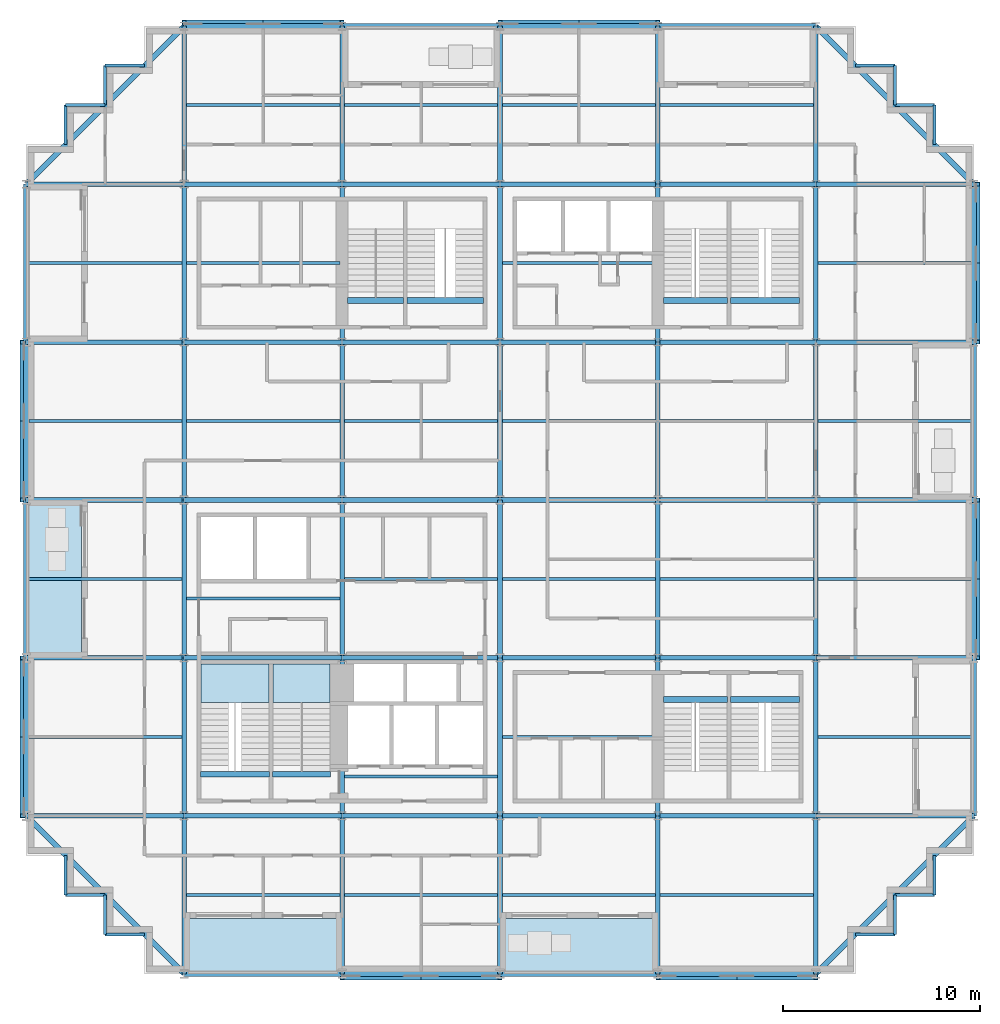
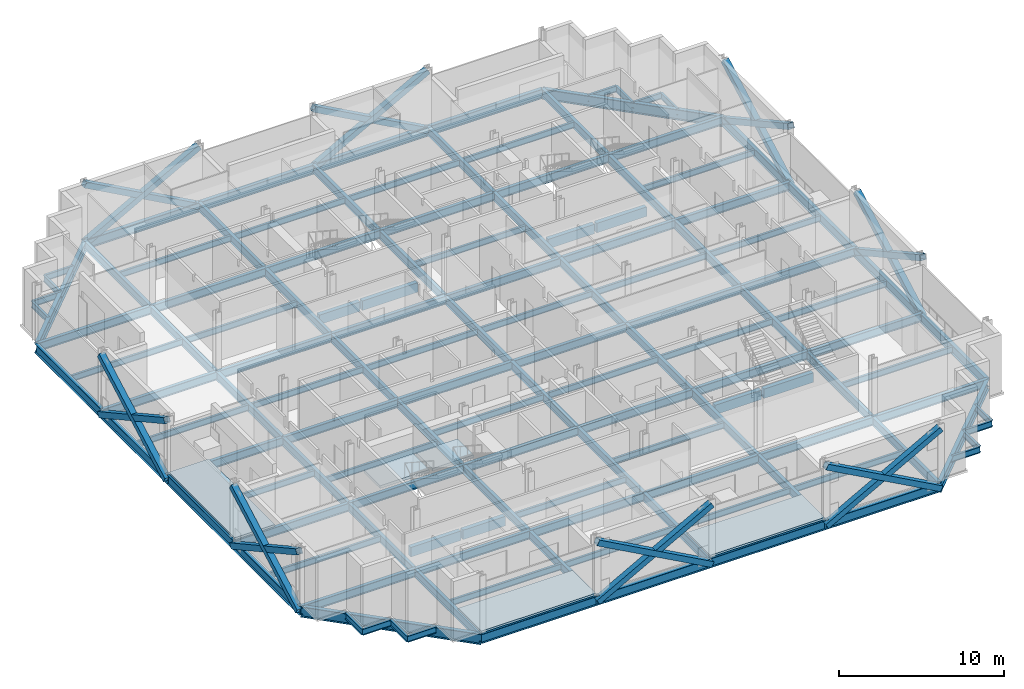
# One storey, part 4 of 15: 132 beams, 16 members, 5 slabs, 2 elements without a shape of their own.
"""IFC4 building model written with IfcOpenShell, lengths in metres."""

from ifc_helpers import new_model, si_unit, direction, frame, origin, origin_2d, place, context, subcontext, project, spatial, polyline, rectangle, hollow_rectangle, i_section, outline, extrude, material, layer, layer_set, material_profile, profile_set, type_object, element, aggregate, save


model = new_model("IFC4")

# Units and contexts
model_context = context("Model", 3, precision=1e-05, world=origin(), true_north=direction((0.0, 1.0)))
body_context = subcontext(model_context, "Body", "Model", "MODEL_VIEW")
ifc_project = project(units=[si_unit("LENGTHUNIT", "METRE"), si_unit("AREAUNIT", "SQUARE_METRE"), si_unit("VOLUMEUNIT", "CUBIC_METRE"), si_unit("PLANEANGLEUNIT", "RADIAN"), si_unit("MASSUNIT", "GRAM", prefix="KILO")], contexts=[model_context])

# Site, building, storey
site_placement = place(None, origin())
site = spatial("IfcSite", under=ifc_project, at=site_placement, CompositionType="ELEMENT")
building_placement = place(site_placement, origin())
building = spatial("IfcBuilding", under=site, at=building_placement, Name="Immortelle Media Tower", CompositionType="ELEMENT")
storey_placement = place(building_placement, frame((0.0, 0.0, 70.0)))
storey = spatial("IfcBuildingStorey", under=building, at=storey_placement, Name="L12", CompositionType="ELEMENT", Elevation=70.0)

# Members
ifc_material_1 = material(Name="Steel ASTM A500 Gr C", Category="steel")
ifc_material_profile_1 = material_profile(ifc_material_1, hollow_rectangle(XDim=0.406005859375, YDim=0.406005859375, WallThickness=0.014892578125, at=origin_2d()), Name="HSS16x16x5/8 brace")
ifc_profile_set_1 = profile_set([ifc_material_profile_1], Name="Steel ASTM A500 Gr C")
member_type = type_object("IfcMemberType", Name="HSS16x16x5/8 brace", PredefinedType="BRACE", material=ifc_profile_set_1)
for number, where, z_axis, x_axis, name in (
    (1, (-0.113037109375, 32.0, -0.49658203125), (0.0, -0.876209133828, 0.481931067474), (1.0, 0.0, 0.0), "Brace 1/D-E A"),
    (2, (-0.113037109375, 32.0, 3.903564453125), (0.0, -0.876209133828, -0.481931067474), (1.0, 0.0, 0.0), "Brace 1/D-E B"),
    (3, (-0.113037109375, 16.0, -0.49658203125), (0.0, -0.876209133828, 0.481931067474), (1.0, 0.0, 0.0), "Brace 1/B-C A"),
    (4, (-0.113037109375, 16.0, 3.903564453125), (0.0, -0.876209133828, -0.481931067474), (1.0, 0.0, 0.0), "Brace 1/B-C B"),
    (5, (16.0, -0.113037109375, -0.49658203125), (0.876209133828, 0.0, 0.481931067474), (0.0, 1.0, 0.0), "Brace A/3-4 A"),
    (6, (16.0, -0.113037109375, 3.903564453125), (0.876209133828, 0.0, -0.481931067474), (0.0, 1.0, 0.0), "Brace A/3-4 B"),
    (7, (32.0, -0.113037109375, -0.49658203125), (0.876209133828, 0.0, 0.481931067474), (0.0, 1.0, 0.0), "Brace A/5-6 A"),
    (8, (32.0, -0.113037109375, 3.903564453125), (0.876209133828, 0.0, -0.481931067474), (0.0, 1.0, 0.0), "Brace A/5-6 B"),
    (9, (48.113037109375, 16.0, -0.49658203125), (0.0, 0.876209133828, 0.481931067474), (-1.0, 0.0, 0.0), "Brace 7/C-D A"),
    (10, (48.113037109375, 16.0, 3.903564453125), (0.0, 0.876209133828, -0.481931067474), (-1.0, 0.0, 0.0), "Brace 7/C-D B"),
    (11, (48.113037109375, 32.0, -0.49658203125), (0.0, 0.876209133828, 0.481931067474), (-1.0, 0.0, 0.0), "Brace 7/E-F A"),
    (12, (48.113037109375, 32.0, 3.903564453125), (0.0, 0.876209133828, -0.481931067474), (-1.0, 0.0, 0.0), "Brace 7/E-F B"),
    (13, (32.0, 48.113037109375, -0.49658203125), (-0.876209133828, 0.0, 0.481931067474), (0.0, -1.0, 0.0), "Brace G/4-5 A"),
    (14, (32.0, 48.113037109375, 3.903564453125), (-0.876209133828, 0.0, -0.481931067474), (0.0, -1.0, 0.0), "Brace G/4-5 B"),
    (15, (16.0, 48.113037109375, -0.49658203125), (-0.876209133828, 0.0, 0.481931067474), (0.0, -1.0, 0.0), "Brace G/2-3 A"),
    (16, (16.0, 48.113037109375, 3.903564453125), (-0.876209133828, 0.0, -0.481931067474), (0.0, -1.0, 0.0), "Brace G/2-3 B"),
):
    element("IfcMember", number, at=place(storey_placement, frame(where, z_axis=z_axis, x_axis=x_axis)), inside=storey, type_object=member_type, Name=name, PredefinedType="BRACE", context=body_context, shape_type="SweptSolid", body=[
        extrude(hollow_rectangle(XDim=0.406005859375, YDim=0.406005859375, WallThickness=0.014892578125, at=origin_2d()), origin(), (0.0, 0.0, 1.0), 9.130126953125),
    ])

# Beams
ifc_material_2 = material(Name="Concrete C50/60", Category="concrete")
ifc_material_profile_2 = material_profile(ifc_material_2, rectangle(XDim=0.300048828125, YDim=0.699951171875, at=origin_2d()), Name="RC 300x700")
ifc_profile_set_2 = profile_set([ifc_material_profile_2], Name="Concrete C50/60")
beam_type_1 = type_object("IfcBeamType", Name="Stair trimmer beam 300 x 700", PredefinedType="BEAM", material=ifc_profile_set_2)
beam_1_placement = place(storey_placement, frame((8.830078125, 10.10498046875, -0.5), z_axis=(1.0, 0.0, 0.0), x_axis=(0.0, 1.0, 0.0)))
element("IfcBeam", 17, at=beam_1_placement, inside=storey, type_object=beam_type_1, Name="Stair trimmer beam SW1", PredefinedType="BEAM", context=body_context, shape_type="SweptSolid", body=[
    extrude(rectangle(XDim=0.300048828125, YDim=0.699951171875, at=origin_2d()), origin(), (0.0, 0.0, 1.0), 3.489990234375),
])
beam_2_placement = place(storey_placement, frame((12.47998046875, 10.10498046875, -0.5), z_axis=(1.0, 0.0, 0.0), x_axis=(0.0, 1.0, 0.0)))
element("IfcBeam", 18, at=beam_2_placement, inside=storey, type_object=beam_type_1, Name="Stair trimmer beam SW2", PredefinedType="BEAM", context=body_context, shape_type="SweptSolid", body=[
    extrude(rectangle(XDim=0.300048828125, YDim=0.699951171875, at=origin_2d()), origin(), (0.0, 0.0, 1.0), 2.93994140625),
])
beam_3_placement = place(storey_placement, frame((32.280029296875, 13.89501953125, -0.5), z_axis=(1.0, 0.0, 0.0), x_axis=(0.0, 1.0, 0.0)))
element("IfcBeam", 19, at=beam_3_placement, inside=storey, type_object=beam_type_1, Name="Stair trimmer beam SE1", PredefinedType="BEAM", context=body_context, shape_type="SweptSolid", body=[
    extrude(rectangle(XDim=0.300048828125, YDim=0.699951171875, at=origin_2d()), origin(), (0.0, 0.0, 1.0), 3.239990234375),
])
beam_4_placement = place(storey_placement, frame((35.679931640625, 13.89501953125, -0.5), z_axis=(1.0, 0.0, 0.0), x_axis=(0.0, 1.0, 0.0)))
element("IfcBeam", 20, at=beam_4_placement, inside=storey, type_object=beam_type_1, Name="Stair trimmer beam SE2", PredefinedType="BEAM", context=body_context, shape_type="SweptSolid", body=[
    extrude(rectangle(XDim=0.300048828125, YDim=0.699951171875, at=origin_2d()), origin(), (0.0, 0.0, 1.0), 3.489990234375),
])
beam_5_placement = place(storey_placement, frame((16.280029296875, 34.10498046875, -0.5), z_axis=(1.0, 0.0, 0.0), x_axis=(0.0, 1.0, 0.0)))
element("IfcBeam", 21, at=beam_5_placement, inside=storey, type_object=beam_type_1, Name="Stair trimmer beam NW1", PredefinedType="BEAM", context=body_context, shape_type="SweptSolid", body=[
    extrude(rectangle(XDim=0.300048828125, YDim=0.699951171875, at=origin_2d()), origin(), (0.0, 0.0, 1.0), 2.840087890625),
])
beam_6_placement = place(storey_placement, frame((19.280029296875, 34.10498046875, -0.5), z_axis=(1.0, 0.0, 0.0), x_axis=(0.0, 1.0, 0.0)))
element("IfcBeam", 22, at=beam_6_placement, inside=storey, type_object=beam_type_1, Name="Stair trimmer beam NW2", PredefinedType="BEAM", context=body_context, shape_type="SweptSolid", body=[
    extrude(rectangle(XDim=0.300048828125, YDim=0.699951171875, at=origin_2d()), origin(), (0.0, 0.0, 1.0), 3.889892578125),
])
beam_7_placement = place(storey_placement, frame((32.280029296875, 34.10498046875, -0.5), z_axis=(1.0, 0.0, 0.0), x_axis=(0.0, 1.0, 0.0)))
element("IfcBeam", 23, at=beam_7_placement, inside=storey, type_object=beam_type_1, Name="Stair trimmer beam NE1", PredefinedType="BEAM", context=body_context, shape_type="SweptSolid", body=[
    extrude(rectangle(XDim=0.300048828125, YDim=0.699951171875, at=origin_2d()), origin(), (0.0, 0.0, 1.0), 3.239990234375),
])
beam_8_placement = place(storey_placement, frame((35.679931640625, 34.10498046875, -0.5), z_axis=(1.0, 0.0, 0.0), x_axis=(0.0, 1.0, 0.0)))
element("IfcBeam", 24, at=beam_8_placement, inside=storey, type_object=beam_type_1, Name="Stair trimmer beam NE2", PredefinedType="BEAM", context=body_context, shape_type="SweptSolid", body=[
    extrude(rectangle(XDim=0.300048828125, YDim=0.699951171875, at=origin_2d()), origin(), (0.0, 0.0, 1.0), 3.489990234375),
])
ifc_material_3 = material(Name="Steel ASTM A992 Gr 50", Category="steel")
ifc_material_profile_3 = material_profile(ifc_material_3, i_section(OverallWidth=0.153076171875, OverallDepth=0.455078125, WebThickness=0.008056640625, FlangeThickness=0.012939453125, at=origin_2d()), Name="W18x40")
ifc_profile_set_3 = profile_set([ifc_material_profile_3], Name="Steel ASTM A992 Gr 50")
beam_type_2 = type_object("IfcBeamType", Name="W18x40 secondary beam", PredefinedType="JOIST", material=ifc_profile_set_3)
for number, where, z_axis, x_axis, name in (
    (25, (8.114501953125, 4.0, -0.37744140625), (1.0, 0.0, 0.0), (0.0, 1.0, 0.0), "Beam A-B/2-3"),
    (26, (16.114501953125, 4.0, -0.37744140625), (1.0, 0.0, 0.0), (0.0, 1.0, 0.0), "Beam A-B/3-4"),
    (27, (24.114501953125, 4.0, -0.37744140625), (1.0, 0.0, 0.0), (0.0, 1.0, 0.0), "Beam A-B/4-5"),
    (28, (32.114501953125, 4.0, -0.37744140625), (1.0, 0.0, 0.0), (0.0, 1.0, 0.0), "Beam A-B/5-6"),
):
    element("IfcBeam", number, at=place(storey_placement, frame(where, z_axis=z_axis, x_axis=x_axis)), inside=storey, type_object=beam_type_2, Name=name, PredefinedType="JOIST", context=body_context, shape_type="SweptSolid", body=[
        extrude(i_section(OverallWidth=0.153076171875, OverallDepth=0.455078125, WebThickness=0.008056640625, FlangeThickness=0.012939453125, at=origin_2d()), origin(), (0.0, 0.0, 1.0), 7.77099609375),
    ])
beam_9_placement = place(storey_placement, frame((0.12841796875, 12.0, -0.37744140625), z_axis=(1.0, 0.0, 0.0), x_axis=(0.0, 1.0, 0.0)))
element("IfcBeam", 29, at=beam_9_placement, inside=storey, type_object=beam_type_2, Name="Beam B-C/1-2", PredefinedType="JOIST", context=body_context, shape_type="SweptSolid", body=[
    extrude(i_section(OverallWidth=0.153076171875, OverallDepth=0.455078125, WebThickness=0.008056640625, FlangeThickness=0.012939453125, at=origin_2d()), origin(), (0.0, 0.0, 1.0), 7.757080078125),
])
for number, where, z_axis, x_axis, name in (
    (30, (16.114501953125, 10.0, -0.37744140625), (1.0, 0.0, 0.0), (0.0, 1.0, 0.0), "Beam B-C/3-4"),
    (31, (24.114501953125, 12.0, -0.37744140625), (1.0, 0.0, 0.0), (0.0, 1.0, 0.0), "Beam B-C/4-5"),
):
    element("IfcBeam", number, at=place(storey_placement, frame(where, z_axis=z_axis, x_axis=x_axis)), inside=storey, type_object=beam_type_2, Name=name, PredefinedType="JOIST", context=body_context, shape_type="SweptSolid", body=[
        extrude(i_section(OverallWidth=0.153076171875, OverallDepth=0.455078125, WebThickness=0.008056640625, FlangeThickness=0.012939453125, at=origin_2d()), origin(), (0.0, 0.0, 1.0), 7.77099609375),
    ])
for number, where, z_axis, x_axis, name in (
    (32, (40.114501953125, 12.0, -0.37744140625), (1.0, 0.0, 0.0), (0.0, 1.0, 0.0), "Beam B-C/6-7"),
    (33, (0.12841796875, 20.0, -0.37744140625), (1.0, 0.0, 0.0), (0.0, 1.0, 0.0), "Beam C-D/1-2"),
):
    element("IfcBeam", number, at=place(storey_placement, frame(where, z_axis=z_axis, x_axis=x_axis)), inside=storey, type_object=beam_type_2, Name=name, PredefinedType="JOIST", context=body_context, shape_type="SweptSolid", body=[
        extrude(i_section(OverallWidth=0.153076171875, OverallDepth=0.455078125, WebThickness=0.008056640625, FlangeThickness=0.012939453125, at=origin_2d()), origin(), (0.0, 0.0, 1.0), 7.757080078125),
    ])
for number, where, z_axis, x_axis, name in (
    (34, (8.114501953125, 19.0, -0.37744140625), (1.0, 0.0, 0.0), (0.0, 1.0, 0.0), "Beam C-D/2-3"),
    (35, (16.114501953125, 20.0, -0.37744140625), (1.0, 0.0, 0.0), (0.0, 1.0, 0.0), "Beam C-D/3-4"),
    (36, (24.114501953125, 20.0, -0.37744140625), (1.0, 0.0, 0.0), (0.0, 1.0, 0.0), "Beam C-D/4-5"),
    (37, (32.114501953125, 20.0, -0.37744140625), (1.0, 0.0, 0.0), (0.0, 1.0, 0.0), "Beam C-D/5-6"),
):
    element("IfcBeam", number, at=place(storey_placement, frame(where, z_axis=z_axis, x_axis=x_axis)), inside=storey, type_object=beam_type_2, Name=name, PredefinedType="JOIST", context=body_context, shape_type="SweptSolid", body=[
        extrude(i_section(OverallWidth=0.153076171875, OverallDepth=0.455078125, WebThickness=0.008056640625, FlangeThickness=0.012939453125, at=origin_2d()), origin(), (0.0, 0.0, 1.0), 7.77099609375),
    ])
for number, where, z_axis, x_axis, name in (
    (38, (40.114501953125, 20.0, -0.37744140625), (1.0, 0.0, 0.0), (0.0, 1.0, 0.0), "Beam C-D/6-7"),
    (39, (0.12841796875, 28.0, -0.37744140625), (1.0, 0.0, 0.0), (0.0, 1.0, 0.0), "Beam D-E/1-2"),
):
    element("IfcBeam", number, at=place(storey_placement, frame(where, z_axis=z_axis, x_axis=x_axis)), inside=storey, type_object=beam_type_2, Name=name, PredefinedType="JOIST", context=body_context, shape_type="SweptSolid", body=[
        extrude(i_section(OverallWidth=0.153076171875, OverallDepth=0.455078125, WebThickness=0.008056640625, FlangeThickness=0.012939453125, at=origin_2d()), origin(), (0.0, 0.0, 1.0), 7.757080078125),
    ])
for number, where, z_axis, x_axis, name in (
    (40, (8.114501953125, 28.0, -0.37744140625), (1.0, 0.0, 0.0), (0.0, 1.0, 0.0), "Beam D-E/2-3"),
    (41, (16.114501953125, 28.0, -0.37744140625), (1.0, 0.0, 0.0), (0.0, 1.0, 0.0), "Beam D-E/3-4"),
    (42, (24.114501953125, 28.0, -0.37744140625), (1.0, 0.0, 0.0), (0.0, 1.0, 0.0), "Beam D-E/4-5"),
    (43, (32.114501953125, 28.0, -0.37744140625), (1.0, 0.0, 0.0), (0.0, 1.0, 0.0), "Beam D-E/5-6"),
):
    element("IfcBeam", number, at=place(storey_placement, frame(where, z_axis=z_axis, x_axis=x_axis)), inside=storey, type_object=beam_type_2, Name=name, PredefinedType="JOIST", context=body_context, shape_type="SweptSolid", body=[
        extrude(i_section(OverallWidth=0.153076171875, OverallDepth=0.455078125, WebThickness=0.008056640625, FlangeThickness=0.012939453125, at=origin_2d()), origin(), (0.0, 0.0, 1.0), 7.77099609375),
    ])
for number, where, z_axis, x_axis, name in (
    (44, (40.114501953125, 28.0, -0.37744140625), (1.0, 0.0, 0.0), (0.0, 1.0, 0.0), "Beam D-E/6-7"),
    (45, (0.12841796875, 36.0, -0.37744140625), (1.0, 0.0, 0.0), (0.0, 1.0, 0.0), "Beam E-F/1-2"),
):
    element("IfcBeam", number, at=place(storey_placement, frame(where, z_axis=z_axis, x_axis=x_axis)), inside=storey, type_object=beam_type_2, Name=name, PredefinedType="JOIST", context=body_context, shape_type="SweptSolid", body=[
        extrude(i_section(OverallWidth=0.153076171875, OverallDepth=0.455078125, WebThickness=0.008056640625, FlangeThickness=0.012939453125, at=origin_2d()), origin(), (0.0, 0.0, 1.0), 7.757080078125),
    ])
for number, where, z_axis, x_axis, name in (
    (46, (8.114501953125, 36.0, -0.37744140625), (1.0, 0.0, 0.0), (0.0, 1.0, 0.0), "Beam E-F/2-3"),
    (47, (24.114501953125, 36.0, -0.37744140625), (1.0, 0.0, 0.0), (0.0, 1.0, 0.0), "Beam E-F/4-5"),
):
    element("IfcBeam", number, at=place(storey_placement, frame(where, z_axis=z_axis, x_axis=x_axis)), inside=storey, type_object=beam_type_2, Name=name, PredefinedType="JOIST", context=body_context, shape_type="SweptSolid", body=[
        extrude(i_section(OverallWidth=0.153076171875, OverallDepth=0.455078125, WebThickness=0.008056640625, FlangeThickness=0.012939453125, at=origin_2d()), origin(), (0.0, 0.0, 1.0), 7.77099609375),
    ])
beam_10_placement = place(storey_placement, frame((40.114501953125, 36.0, -0.37744140625), z_axis=(1.0, 0.0, 0.0), x_axis=(0.0, 1.0, 0.0)))
element("IfcBeam", 48, at=beam_10_placement, inside=storey, type_object=beam_type_2, Name="Beam E-F/6-7", PredefinedType="JOIST", context=body_context, shape_type="SweptSolid", body=[
    extrude(i_section(OverallWidth=0.153076171875, OverallDepth=0.455078125, WebThickness=0.008056640625, FlangeThickness=0.012939453125, at=origin_2d()), origin(), (0.0, 0.0, 1.0), 7.757080078125),
])
for number, where, z_axis, x_axis, name in (
    (49, (8.114501953125, 44.0, -0.37744140625), (1.0, 0.0, 0.0), (0.0, 1.0, 0.0), "Beam F-G/2-3"),
    (50, (16.114501953125, 44.0, -0.37744140625), (1.0, 0.0, 0.0), (0.0, 1.0, 0.0), "Beam F-G/3-4"),
    (51, (24.114501953125, 44.0, -0.37744140625), (1.0, 0.0, 0.0), (0.0, 1.0, 0.0), "Beam F-G/4-5"),
    (52, (32.114501953125, 44.0, -0.37744140625), (1.0, 0.0, 0.0), (0.0, 1.0, 0.0), "Beam F-G/5-6"),
):
    element("IfcBeam", number, at=place(storey_placement, frame(where, z_axis=z_axis, x_axis=x_axis)), inside=storey, type_object=beam_type_2, Name=name, PredefinedType="JOIST", context=body_context, shape_type="SweptSolid", body=[
        extrude(i_section(OverallWidth=0.153076171875, OverallDepth=0.455078125, WebThickness=0.008056640625, FlangeThickness=0.012939453125, at=origin_2d()), origin(), (0.0, 0.0, 1.0), 7.77099609375),
    ])
ifc_material_profile_4 = material_profile(ifc_material_3, i_section(OverallWidth=0.153076171875, OverallDepth=0.455078125, WebThickness=0.008056640625, FlangeThickness=0.012939453125, at=origin_2d()), Name="W18x40")
ifc_profile_set_4 = profile_set([ifc_material_profile_4], Name="Steel ASTM A992 Gr 50")
beam_type_3 = type_object("IfcBeamType", Name="W18x40 serration edge beam", PredefinedType="SPANDREL", material=ifc_profile_set_4)
for number, where, z_axis, x_axis, name in (
    (53, (6.0, 2.0, -0.37744140625), (-1.0, 0.0, 0.0), (0.0, -1.0, 0.0), "Corner edge beam 1 at 1/A"),
    (54, (4.0, 2.0, -0.37744140625), (0.0, 1.0, 0.0), (-1.0, 0.0, 0.0), "Corner edge beam 2 at 1/A"),
    (55, (4.0, 4.0, -0.37744140625), (-1.0, 0.0, 0.0), (0.0, -1.0, 0.0), "Corner edge beam 3 at 1/A"),
    (56, (2.0, 4.0, -0.37744140625), (0.0, 1.0, 0.0), (-1.0, 0.0, 0.0), "Corner edge beam 4 at 1/A"),
    (57, (2.0, 42.0, -0.37744140625), (0.0, 1.0, 0.0), (-1.0, 0.0, 0.0), "Corner edge beam 1 at 1/G"),
    (58, (2.0, 44.0, -0.37744140625), (1.0, 0.0, 0.0), (0.0, 1.0, 0.0), "Corner edge beam 2 at 1/G"),
    (59, (4.0, 44.0, -0.37744140625), (0.0, 1.0, 0.0), (-1.0, 0.0, 0.0), "Corner edge beam 3 at 1/G"),
    (60, (4.0, 46.0, -0.37744140625), (1.0, 0.0, 0.0), (0.0, 1.0, 0.0), "Corner edge beam 4 at 1/G"),
    (61, (46.0, 6.0, -0.37744140625), (0.0, -1.0, 0.0), (1.0, 0.0, 0.0), "Corner edge beam 1 at 7/A"),
    (62, (46.0, 4.0, -0.37744140625), (-1.0, 0.0, 0.0), (0.0, -1.0, 0.0), "Corner edge beam 2 at 7/A"),
    (63, (44.0, 4.0, -0.37744140625), (0.0, -1.0, 0.0), (1.0, 0.0, 0.0), "Corner edge beam 3 at 7/A"),
    (64, (44.0, 2.0, -0.37744140625), (-1.0, 0.0, 0.0), (0.0, -1.0, 0.0), "Corner edge beam 4 at 7/A"),
    (65, (42.0, 46.0, -0.37744140625), (1.0, 0.0, 0.0), (0.0, 1.0, 0.0), "Corner edge beam 1 at 7/G"),
    (66, (44.0, 46.0, -0.37744140625), (0.0, -1.0, 0.0), (1.0, 0.0, 0.0), "Corner edge beam 2 at 7/G"),
    (67, (44.0, 44.0, -0.37744140625), (1.0, 0.0, 0.0), (0.0, 1.0, 0.0), "Corner edge beam 3 at 7/G"),
    (68, (46.0, 44.0, -0.37744140625), (0.0, -1.0, 0.0), (1.0, 0.0, 0.0), "Corner edge beam 4 at 7/G"),
):
    element("IfcBeam", number, at=place(storey_placement, frame(where, z_axis=z_axis, x_axis=x_axis)), inside=storey, type_object=beam_type_3, Name=name, PredefinedType="SPANDREL", context=body_context, shape_type="SweptSolid", body=[
        extrude(i_section(OverallWidth=0.153076171875, OverallDepth=0.455078125, WebThickness=0.008056640625, FlangeThickness=0.012939453125, at=origin_2d()), origin(), (0.0, 0.0, 1.0), 2.0),
    ])
ifc_material_profile_5 = material_profile(ifc_material_3, i_section(OverallWidth=0.22900390625, OverallDepth=0.612060546875, WebThickness=0.011962890625, FlangeThickness=0.02001953125, at=origin_2d()), Name="W24x84")
ifc_profile_set_5 = profile_set([ifc_material_profile_5], Name="Steel ASTM A992 Gr 50")
beam_type_4 = type_object("IfcBeamType", Name="W24x84 girder", PredefinedType="BEAM", material=ifc_profile_set_5)
for number, where, z_axis, x_axis, name in (
    (69, (0.0, 8.0, -0.4560546875), (1.0, 0.0, 0.0), (0.0, 1.0, 0.0), "Girder B/1-2"),
    (70, (0.0, 16.0, -0.4560546875), (1.0, 0.0, 0.0), (0.0, 1.0, 0.0), "Girder C/1-2"),
    (71, (0.0, 24.0, -0.4560546875), (1.0, 0.0, 0.0), (0.0, 1.0, 0.0), "Girder D/1-2"),
    (72, (0.0, 32.0, -0.4560546875), (1.0, 0.0, 0.0), (0.0, 1.0, 0.0), "Girder E/1-2"),
    (73, (0.0, 40.0, -0.4560546875), (1.0, 0.0, 0.0), (0.0, 1.0, 0.0), "Girder F/1-2"),
    (74, (8.0, 0.0, -0.4560546875), (0.0, 1.0, 0.0), (-1.0, 0.0, 0.0), "Girder 2/A-B"),
    (75, (8.0, 8.0, -0.4560546875), (1.0, 0.0, 0.0), (0.0, 1.0, 0.0), "Girder B/2-3"),
    (76, (8.0, 8.0, -0.4560546875), (0.0, 1.0, 0.0), (-1.0, 0.0, 0.0), "Girder 2/B-C"),
    (77, (8.0, 16.0, -0.4560546875), (1.0, 0.0, 0.0), (0.0, 1.0, 0.0), "Girder C/2-3"),
    (78, (8.0, 16.0, -0.4560546875), (0.0, 1.0, 0.0), (-1.0, 0.0, 0.0), "Girder 2/C-D"),
    (79, (8.0, 24.0, -0.4560546875), (1.0, 0.0, 0.0), (0.0, 1.0, 0.0), "Girder D/2-3"),
    (80, (8.0, 24.0, -0.4560546875), (0.0, 1.0, 0.0), (-1.0, 0.0, 0.0), "Girder 2/D-E"),
    (81, (8.0, 32.0, -0.4560546875), (1.0, 0.0, 0.0), (0.0, 1.0, 0.0), "Girder E/2-3"),
    (82, (8.0, 32.0, -0.4560546875), (0.0, 1.0, 0.0), (-1.0, 0.0, 0.0), "Girder 2/E-F"),
    (83, (8.0, 40.0, -0.4560546875), (1.0, 0.0, 0.0), (0.0, 1.0, 0.0), "Girder F/2-3"),
    (84, (8.0, 40.0, -0.4560546875), (0.0, 1.0, 0.0), (-1.0, 0.0, 0.0), "Girder 2/F-G"),
    (85, (16.0, 0.0, -0.4560546875), (0.0, 1.0, 0.0), (-1.0, 0.0, 0.0), "Girder 3/A-B"),
    (86, (16.0, 8.0, -0.4560546875), (1.0, 0.0, 0.0), (0.0, 1.0, 0.0), "Girder B/3-4"),
    (87, (16.0, 8.0, -0.4560546875), (0.0, 1.0, 0.0), (-1.0, 0.0, 0.0), "Girder 3/B-C"),
    (88, (16.0, 16.0, -0.4560546875), (1.0, 0.0, 0.0), (0.0, 1.0, 0.0), "Girder C/3-4"),
    (89, (16.0, 16.0, -0.4560546875), (0.0, 1.0, 0.0), (-1.0, 0.0, 0.0), "Girder 3/C-D"),
    (90, (16.0, 24.0, -0.4560546875), (1.0, 0.0, 0.0), (0.0, 1.0, 0.0), "Girder D/3-4"),
    (91, (16.0, 24.0, -0.4560546875), (0.0, 1.0, 0.0), (-1.0, 0.0, 0.0), "Girder 3/D-E"),
    (92, (16.0, 32.0, -0.4560546875), (1.0, 0.0, 0.0), (0.0, 1.0, 0.0), "Girder E/3-4"),
    (93, (16.0, 32.0, -0.4560546875), (0.0, 1.0, 0.0), (-1.0, 0.0, 0.0), "Girder 3/E-F"),
    (94, (16.0, 40.0, -0.4560546875), (1.0, 0.0, 0.0), (0.0, 1.0, 0.0), "Girder F/3-4"),
    (95, (16.0, 40.0, -0.4560546875), (0.0, 1.0, 0.0), (-1.0, 0.0, 0.0), "Girder 3/F-G"),
    (96, (24.0, 0.0, -0.4560546875), (0.0, 1.0, 0.0), (-1.0, 0.0, 0.0), "Girder 4/A-B"),
    (97, (24.0, 8.0, -0.4560546875), (1.0, 0.0, 0.0), (0.0, 1.0, 0.0), "Girder B/4-5"),
    (98, (24.0, 8.0, -0.4560546875), (0.0, 1.0, 0.0), (-1.0, 0.0, 0.0), "Girder 4/B-C"),
    (99, (24.0, 16.0, -0.4560546875), (1.0, 0.0, 0.0), (0.0, 1.0, 0.0), "Girder C/4-5"),
    (100, (24.0, 16.0, -0.4560546875), (0.0, 1.0, 0.0), (-1.0, 0.0, 0.0), "Girder 4/C-D"),
    (101, (24.0, 24.0, -0.4560546875), (1.0, 0.0, 0.0), (0.0, 1.0, 0.0), "Girder D/4-5"),
    (102, (24.0, 24.0, -0.4560546875), (0.0, 1.0, 0.0), (-1.0, 0.0, 0.0), "Girder 4/D-E"),
    (103, (24.0, 32.0, -0.4560546875), (1.0, 0.0, 0.0), (0.0, 1.0, 0.0), "Girder E/4-5"),
    (104, (24.0, 32.0, -0.4560546875), (0.0, 1.0, 0.0), (-1.0, 0.0, 0.0), "Girder 4/E-F"),
    (105, (24.0, 40.0, -0.4560546875), (1.0, 0.0, 0.0), (0.0, 1.0, 0.0), "Girder F/4-5"),
    (106, (24.0, 40.0, -0.4560546875), (0.0, 1.0, 0.0), (-1.0, 0.0, 0.0), "Girder 4/F-G"),
    (107, (32.0, 0.0, -0.4560546875), (0.0, 1.0, 0.0), (-1.0, 0.0, 0.0), "Girder 5/A-B"),
    (108, (32.0, 8.0, -0.4560546875), (1.0, 0.0, 0.0), (0.0, 1.0, 0.0), "Girder B/5-6"),
    (109, (32.0, 8.0, -0.4560546875), (0.0, 1.0, 0.0), (-1.0, 0.0, 0.0), "Girder 5/B-C"),
    (110, (32.0, 16.0, -0.4560546875), (1.0, 0.0, 0.0), (0.0, 1.0, 0.0), "Girder C/5-6"),
    (111, (32.0, 16.0, -0.4560546875), (0.0, 1.0, 0.0), (-1.0, 0.0, 0.0), "Girder 5/C-D"),
    (112, (32.0, 24.0, -0.4560546875), (1.0, 0.0, 0.0), (0.0, 1.0, 0.0), "Girder D/5-6"),
    (113, (32.0, 24.0, -0.4560546875), (0.0, 1.0, 0.0), (-1.0, 0.0, 0.0), "Girder 5/D-E"),
    (114, (32.0, 32.0, -0.4560546875), (1.0, 0.0, 0.0), (0.0, 1.0, 0.0), "Girder E/5-6"),
    (115, (32.0, 32.0, -0.4560546875), (0.0, 1.0, 0.0), (-1.0, 0.0, 0.0), "Girder 5/E-F"),
    (116, (32.0, 40.0, -0.4560546875), (1.0, 0.0, 0.0), (0.0, 1.0, 0.0), "Girder F/5-6"),
    (117, (32.0, 40.0, -0.4560546875), (0.0, 1.0, 0.0), (-1.0, 0.0, 0.0), "Girder 5/F-G"),
    (118, (40.0, 0.0, -0.4560546875), (0.0, 1.0, 0.0), (-1.0, 0.0, 0.0), "Girder 6/A-B"),
    (119, (40.0, 8.0, -0.4560546875), (1.0, 0.0, 0.0), (0.0, 1.0, 0.0), "Girder B/6-7"),
    (120, (40.0, 8.0, -0.4560546875), (0.0, 1.0, 0.0), (-1.0, 0.0, 0.0), "Girder 6/B-C"),
    (121, (40.0, 16.0, -0.4560546875), (1.0, 0.0, 0.0), (0.0, 1.0, 0.0), "Girder C/6-7"),
    (122, (40.0, 16.0, -0.4560546875), (0.0, 1.0, 0.0), (-1.0, 0.0, 0.0), "Girder 6/C-D"),
    (123, (40.0, 24.0, -0.4560546875), (1.0, 0.0, 0.0), (0.0, 1.0, 0.0), "Girder D/6-7"),
    (124, (40.0, 24.0, -0.4560546875), (0.0, 1.0, 0.0), (-1.0, 0.0, 0.0), "Girder 6/D-E"),
    (125, (40.0, 32.0, -0.4560546875), (1.0, 0.0, 0.0), (0.0, 1.0, 0.0), "Girder E/6-7"),
    (126, (40.0, 32.0, -0.4560546875), (0.0, 1.0, 0.0), (-1.0, 0.0, 0.0), "Girder 6/E-F"),
    (127, (40.0, 40.0, -0.4560546875), (1.0, 0.0, 0.0), (0.0, 1.0, 0.0), "Girder F/6-7"),
    (128, (40.0, 40.0, -0.4560546875), (0.0, 1.0, 0.0), (-1.0, 0.0, 0.0), "Girder 6/F-G"),
):
    element("IfcBeam", number, at=place(storey_placement, frame(where, z_axis=z_axis, x_axis=x_axis)), inside=storey, type_object=beam_type_4, Name=name, PredefinedType="BEAM", context=body_context, shape_type="SweptSolid", body=[
        extrude(i_section(OverallWidth=0.22900390625, OverallDepth=0.612060546875, WebThickness=0.011962890625, FlangeThickness=0.02001953125, at=origin_2d()), origin(), (0.0, 0.0, 1.0), 8.0),
    ])
ifc_material_profile_6 = material_profile(ifc_material_3, i_section(OverallWidth=0.257080078125, OverallDepth=0.693115234375, WebThickness=0.013916015625, FlangeThickness=0.02392578125, at=origin_2d()), Name="W27x114")
ifc_profile_set_6 = profile_set([ifc_material_profile_6], Name="Steel ASTM A992 Gr 50")
beam_type_5 = type_object("IfcBeamType", Name="W27x114 perimeter girder", PredefinedType="SPANDREL", material=ifc_profile_set_6)
for number, where, z_axis, x_axis, name in (
    (129, (0.0, 8.0, -0.49658203125), (0.0, 1.0, 0.0), (-1.0, 0.0, 0.0), "Girder 1/B-C"),
    (130, (0.0, 16.0, -0.49658203125), (0.0, 1.0, 0.0), (-1.0, 0.0, 0.0), "Girder 1/C-D"),
    (131, (0.0, 24.0, -0.49658203125), (0.0, 1.0, 0.0), (-1.0, 0.0, 0.0), "Girder 1/D-E"),
    (132, (0.0, 32.0, -0.49658203125), (0.0, 1.0, 0.0), (-1.0, 0.0, 0.0), "Girder 1/E-F"),
    (133, (8.0, 0.0, -0.49658203125), (1.0, 0.0, 0.0), (0.0, 1.0, 0.0), "Girder A/2-3"),
    (134, (8.0, 48.0, -0.49658203125), (1.0, 0.0, 0.0), (0.0, 1.0, 0.0), "Girder G/2-3"),
    (135, (16.0, 0.0, -0.49658203125), (1.0, 0.0, 0.0), (0.0, 1.0, 0.0), "Girder A/3-4"),
    (136, (16.0, 48.0, -0.49658203125), (1.0, 0.0, 0.0), (0.0, 1.0, 0.0), "Girder G/3-4"),
    (137, (24.0, 0.0, -0.49658203125), (1.0, 0.0, 0.0), (0.0, 1.0, 0.0), "Girder A/4-5"),
    (138, (24.0, 48.0, -0.49658203125), (1.0, 0.0, 0.0), (0.0, 1.0, 0.0), "Girder G/4-5"),
    (139, (32.0, 0.0, -0.49658203125), (1.0, 0.0, 0.0), (0.0, 1.0, 0.0), "Girder A/5-6"),
    (140, (32.0, 48.0, -0.49658203125), (1.0, 0.0, 0.0), (0.0, 1.0, 0.0), "Girder G/5-6"),
    (141, (48.0, 8.0, -0.49658203125), (0.0, 1.0, 0.0), (-1.0, 0.0, 0.0), "Girder 7/B-C"),
    (142, (48.0, 16.0, -0.49658203125), (0.0, 1.0, 0.0), (-1.0, 0.0, 0.0), "Girder 7/C-D"),
    (143, (48.0, 24.0, -0.49658203125), (0.0, 1.0, 0.0), (-1.0, 0.0, 0.0), "Girder 7/D-E"),
    (144, (48.0, 32.0, -0.49658203125), (0.0, 1.0, 0.0), (-1.0, 0.0, 0.0), "Girder 7/E-F"),
):
    element("IfcBeam", number, at=place(storey_placement, frame(where, z_axis=z_axis, x_axis=x_axis)), inside=storey, type_object=beam_type_5, Name=name, PredefinedType="SPANDREL", context=body_context, shape_type="SweptSolid", body=[
        extrude(i_section(OverallWidth=0.257080078125, OverallDepth=0.693115234375, WebThickness=0.013916015625, FlangeThickness=0.02392578125, at=origin_2d()), origin(), (0.0, 0.0, 1.0), 8.0),
    ])
ifc_material_profile_7 = material_profile(ifc_material_3, i_section(OverallWidth=0.26708984375, OverallDepth=0.780029296875, WebThickness=0.01708984375, FlangeThickness=0.030029296875, at=origin_2d()), Name="W30x148")
ifc_profile_set_7 = profile_set([ifc_material_profile_7], Name="Steel ASTM A992 Gr 50")
beam_type_6 = type_object("IfcBeamType", Name="W30x148 corner girder", PredefinedType="SPANDREL", material=ifc_profile_set_7)
for number, where, z_axis, x_axis, name in (
    (145, (8.0, 0.0, -0.5400390625), (-0.707106781187, 0.707106781187, 0.0), (-0.707106781187, -0.707106781187, 0.0), "Corner girder at 1/A"),
    (146, (0.0, 40.0, -0.5400390625), (0.707106781187, 0.707106781187, 0.0), (-0.707106781187, 0.707106781187, 0.0), "Corner girder at 1/G"),
    (147, (48.0, 8.0, -0.5400390625), (-0.707106781187, -0.707106781187, 0.0), (0.707106781187, -0.707106781187, 0.0), "Corner girder at 7/A"),
    (148, (40.0, 48.0, -0.5400390625), (0.707106781187, -0.707106781187, 0.0), (0.707106781187, 0.707106781187, 0.0), "Corner girder at 7/G"),
):
    element("IfcBeam", number, at=place(storey_placement, frame(where, z_axis=z_axis, x_axis=x_axis)), inside=storey, type_object=beam_type_6, Name=name, PredefinedType="SPANDREL", context=body_context, shape_type="SweptSolid", body=[
        extrude(i_section(OverallWidth=0.26708984375, OverallDepth=0.780029296875, WebThickness=0.01708984375, FlangeThickness=0.030029296875, at=origin_2d()), origin(), (0.0, 0.0, 1.0), 11.313720703125),
    ])

# Slabs
ifc_material_4 = material(Name="Concrete C50/60 composite deck", Category="concrete")
ifc_layer_1 = layer(ifc_material_4, 0.14990234375)
ifc_layer_set_1 = layer_set([ifc_layer_1], Name="Concrete C50/60 composite deck")
slab_type_1 = type_object("IfcSlabType", Name="Balcony slab 150", PredefinedType="FLOOR", material=ifc_layer_set_1)
slab_1_placement = place(storey_placement, frame((0.0, 0.0, -0.14990234375)))
element("IfcSlab", 149, at=slab_1_placement, inside=storey, type_object=slab_type_1, Name="Balcony slab L12 W2", PredefinedType="FLOOR", context=body_context, shape_type="SweptSolid", body=[
    extrude(outline(polyline([(2.800048828125, 16.0), (2.800048828125, 24.0), (0.0, 24.0), (0.0, 16.0), (2.800048828125, 16.0)])), origin(), (0.0, 0.0, 1.0), 0.14990234375),
])
slab_2_placement = place(storey_placement, frame((0.0, 0.0, -0.14990234375)))
element("IfcSlab", 150, at=slab_2_placement, inside=storey, type_object=slab_type_1, Name="Balcony slab L12 S0", PredefinedType="FLOOR", context=body_context, shape_type="SweptSolid", body=[
    extrude(outline(polyline([(16.0, 0.0), (16.0, 2.800048828125), (8.0, 2.800048828125), (8.0, 0.0), (16.0, 0.0)])), origin(), (0.0, 0.0, 1.0), 0.14990234375),
])
slab_3_placement = place(storey_placement, frame((0.0, 0.0, -0.14990234375)))
element("IfcSlab", 151, at=slab_3_placement, inside=storey, type_object=slab_type_1, Name="Balcony slab L12 S2", PredefinedType="FLOOR", context=body_context, shape_type="SweptSolid", body=[
    extrude(outline(polyline([(32.0, 0.0), (32.0, 2.800048828125), (24.0, 2.800048828125), (24.0, 0.0), (32.0, 0.0)])), origin(), (0.0, 0.0, 1.0), 0.14990234375),
])

# Stair, slab
stair_type = type_object("IfcStairType", Name="Stair with flights", PredefinedType="DOUBLE_RETURN_STAIR", material=ifc_material_3)
stair_1_placement = place(storey_placement, origin())
stair_1 = element("IfcStair", 152, at=stair_1_placement, inside=storey, type_object=stair_type, Name="Exit stair SW1", PredefinedType="DOUBLE_RETURN_STAIR")
ifc_material_5 = material(Name="Steel ASTM A572 Gr 50", Category="steel")
ifc_layer_2 = layer(ifc_material_5, 0.199951171875)
ifc_layer_set_2 = layer_set([ifc_layer_2], Name="Steel ASTM A572 Gr 50")
slab_type_2 = type_object("IfcSlabType", Name="Stair landing 200", PredefinedType="LANDING", material=ifc_layer_set_2)
slab_4_placement = place(storey_placement, frame((0.0, 0.0, 1.912109375)))
slab_4 = element("IfcSlab", 153, at=slab_4_placement, type_object=slab_type_2, Name="ST SW1 landing 1", PredefinedType="LANDING", context=body_context, shape_type="SweptSolid", body=[
    extrude(outline(polyline([(8.85009765625, 13.72998046875), (12.300048828125, 13.72998046875), (12.300048828125, 15.699951171875), (8.85009765625, 15.699951171875), (8.85009765625, 13.72998046875)])), origin(), (0.0, 0.0, 1.0), 0.199951171875),
])
aggregate(stair_1, [slab_4])

stair_2_placement = place(storey_placement, origin())
stair_2 = element("IfcStair", 154, at=stair_2_placement, inside=storey, type_object=stair_type, Name="Exit stair SW2", PredefinedType="DOUBLE_RETURN_STAIR")
slab_5_placement = place(storey_placement, frame((0.0, 0.0, 1.912109375)))
slab_5 = element("IfcSlab", 155, at=slab_5_placement, type_object=slab_type_2, Name="ST SW2 landing 1", PredefinedType="LANDING", context=body_context, shape_type="SweptSolid", body=[
    extrude(outline(polyline([(12.5, 13.72998046875), (15.39990234375, 13.72998046875), (15.39990234375, 15.699951171875), (12.5, 15.699951171875), (12.5, 13.72998046875)])), origin(), (0.0, 0.0, 1.0), 0.199951171875),
])
aggregate(stair_2, [slab_5])

save(model, "model.ifc")
